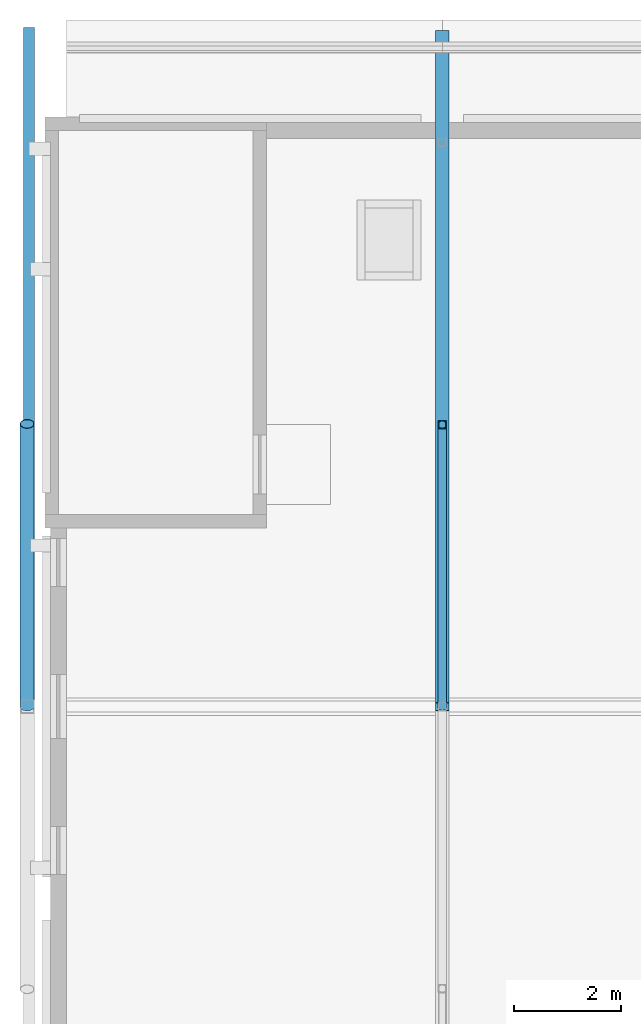
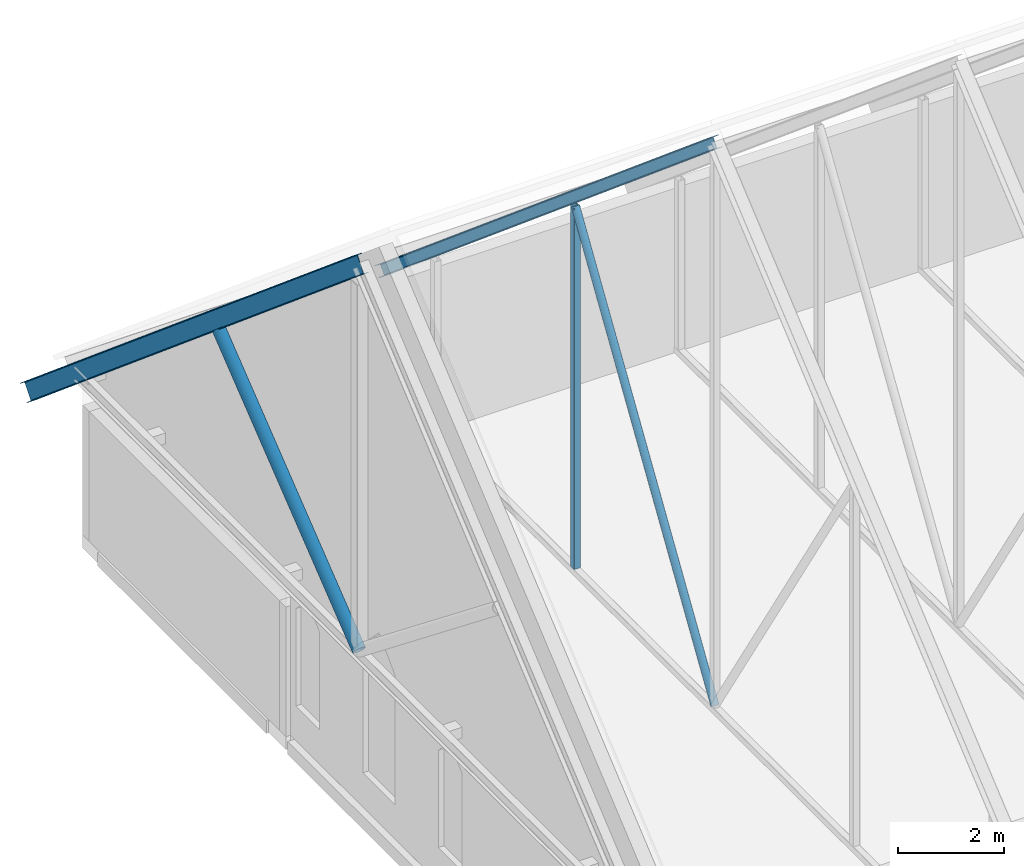
# One storey, part 17 of 29: 5 members.
"""IFC4 building model written with IfcOpenShell, lengths in metres."""

from ifc_helpers import new_model, si_unit, direction, frame, origin, origin_2d, place, context, subcontext, project, spatial, hollow_rectangle, hollow_circle, i_section, extrude, material, material_profile, profile_set, type_object, element, save


model = new_model("IFC4")

# Units and contexts
model_context = context("Model", 3, precision=1e-05, world=origin(), true_north=direction((0.0, 1.0)))
body_context = subcontext(model_context, "Body", "Model", "MODEL_VIEW")
ifc_project = project(units=[si_unit("LENGTHUNIT", "METRE"), si_unit("AREAUNIT", "SQUARE_METRE"), si_unit("VOLUMEUNIT", "CUBIC_METRE"), si_unit("PLANEANGLEUNIT", "RADIAN"), si_unit("MASSUNIT", "GRAM", prefix="KILO")], contexts=[model_context])

# Site, building, storey
site_placement = place(None, origin())
site = spatial("IfcSite", under=ifc_project, at=site_placement, CompositionType="ELEMENT")
building_placement = place(site_placement, origin())
building = spatial("IfcBuilding", under=site, at=building_placement, Name="Silangan Lancet Faculty of Sciences", CompositionType="ELEMENT")
storey_placement = place(building_placement, frame((0.0, 0.0, 54.300048828125)))
storey = spatial("IfcBuildingStorey", under=building, at=storey_placement, Name="L11", CompositionType="ELEMENT", Elevation=54.300048828125)

# Members
ifc_material_1 = material(Name="Steel SS400", Category="steel")
ifc_material_profile_1 = material_profile(ifc_material_1, i_section(OverallWidth=0.199951171875, OverallDepth=0.39990234375, WebThickness=0.008056640625, FlangeThickness=0.012939453125, FilletRadius=0.01611328125, at=origin_2d()), Name="H 400x200x8x13")
ifc_profile_set_1 = profile_set([ifc_material_profile_1], Name="Steel SS400")
member_type_1 = type_object("IfcMemberType", Name="Gable truss rafter H 400x200x8x13", PredefinedType="RAFTER", material=ifc_profile_set_1)
member_1_placement = place(storey_placement, frame((-0.550048828125, 59.39990234375, 2.479248046875), z_axis=(0.0, -0.765701649721, 0.643195913866), x_axis=(1.0, 0.0, 0.0)))
element("IfcMember", 1, at=member_1_placement, inside=storey, type_object=member_type_1, Name="Gable truss rafter B", PredefinedType="RAFTER", context=body_context, shape_type="SweptSolid", body=[
    extrude(i_section(OverallWidth=0.199951171875, OverallDepth=0.39990234375, WebThickness=0.008056640625, FlangeThickness=0.012939453125, FilletRadius=0.01611328125, at=origin_2d()), origin(), (0.0, 0.0, 1.0), 16.455322265625),
])
ifc_material_2 = material(Name="Steel STK400", Category="steel")
ifc_material_profile_2 = material_profile(ifc_material_2, hollow_circle(Radius=0.1337890625, WallThickness=0.008056640625, at=origin_2d()), Name="CHS 267.4x8.0")
ifc_profile_set_2 = profile_set([ifc_material_profile_2], Name="Steel STK400")
member_type_2 = type_object("IfcMemberType", Name="Gable truss strut CHS 267.4x8.0", PredefinedType="BRACE", material=ifc_profile_set_2)
member_2_placement = place(storey_placement, frame((-0.583740234375, 46.800048828125, 4.14990234375), z_axis=(0.0, 0.78373460295, 0.621095863888), x_axis=(-1.0, 0.0, 0.0)))
element("IfcMember", 2, at=member_2_placement, inside=storey, type_object=member_type_2, Name="Gable truss strut B", PredefinedType="BRACE", context=body_context, shape_type="SweptSolid", body=[
    extrude(hollow_circle(Radius=0.1337890625, WallThickness=0.008056640625, at=origin_2d()), origin(), (0.0, 0.0, 1.0), 6.762451171875),
])
ifc_material_3 = material(Name="Steel STK400", Category="steel")
ifc_material_profile_3 = material_profile(ifc_material_3, hollow_circle(Radius=0.08251953125, WallThickness=0.0048828125, at=origin_2d()), Name="CHS 165.2x5.0")
ifc_profile_set_3 = profile_set([ifc_material_profile_3], Name="Steel STK400")
member_type_3 = type_object("IfcMemberType", Name="Truss diagonal CHS 165.2x5.0", PredefinedType="BRACE", material=ifc_profile_set_3)
member_3_placement = place(storey_placement, frame((7.199951171875, 46.800048828125, 0.14990234375), z_axis=(0.0, 0.535278447344, 0.844675667821), x_axis=(-1.0, 0.0, 0.0)))
element("IfcMember", 3, at=member_3_placement, inside=storey, type_object=member_type_3, Name="Gable truss 1 diagonal N", PredefinedType="BRACE", context=body_context, shape_type="SweptSolid", body=[
    extrude(hollow_circle(Radius=0.08251953125, WallThickness=0.0048828125, at=origin_2d()), origin(), (0.0, 0.0, 1.0), 9.877685546875),
])
ifc_material_4 = material(Name="Steel STKR400", Category="steel")
ifc_material_profile_4 = material_profile(ifc_material_4, hollow_rectangle(XDim=0.14990234375, YDim=0.14990234375, WallThickness=0.006103515625, InnerFilletRadius=0.006103515625, OuterFilletRadius=0.011962890625, at=origin_2d()), Name="SHS 150x150x6.0")
ifc_profile_set_4 = profile_set([ifc_material_profile_4], Name="Steel STKR400")
member_type_4 = type_object("IfcMemberType", Name="Truss post SHS 150x150x6.0", PredefinedType="POST", material=ifc_profile_set_4)
member_4_placement = place(storey_placement, frame((7.199951171875, 52.08740234375, 0.14990234375), z_axis=(0.0, 0.0, 1.0), x_axis=(1.0, 0.0, 0.0)))
element("IfcMember", 4, at=member_4_placement, inside=storey, type_object=member_type_4, Name="Gable truss 1 mid post N", PredefinedType="POST", context=body_context, shape_type="SweptSolid", body=[
    extrude(hollow_rectangle(XDim=0.14990234375, YDim=0.14990234375, WallThickness=0.006103515625, InnerFilletRadius=0.006103515625, OuterFilletRadius=0.011962890625, at=origin_2d()), origin(), (0.0, 0.0, 1.0), 8.343505859375),
])
ifc_material_5 = material(Name="Steel SS400", Category="steel")
ifc_material_profile_5 = material_profile(ifc_material_5, i_section(OverallWidth=0.25, OverallDepth=0.25, WebThickness=0.009033203125, FlangeThickness=0.013916015625, FilletRadius=0.01611328125, at=origin_2d()), Name="H 250x250x9x14")
ifc_profile_set_5 = profile_set([ifc_material_profile_5], Name="Steel SS400")
member_type_5 = type_object("IfcMemberType", Name="Truss top chord H 250x250x9x14", PredefinedType="CHORD", material=ifc_profile_set_5)
member_5_placement = place(storey_placement, frame((7.199951171875, 59.39990234375, 2.5771484375), z_axis=(0.0, -0.765701649721, 0.643195913866), x_axis=(1.0, 0.0, 0.0)))
element("IfcMember", 5, at=member_5_placement, inside=storey, type_object=member_type_5, Name="Gable truss 1 rafter N", PredefinedType="CHORD", context=body_context, shape_type="SweptSolid", body=[
    extrude(i_section(OverallWidth=0.25, OverallDepth=0.25, WebThickness=0.009033203125, FlangeThickness=0.013916015625, FilletRadius=0.01611328125, at=origin_2d()), origin(), (0.0, 0.0, 1.0), 16.455322265625),
])

save(model, "model.ifc")
